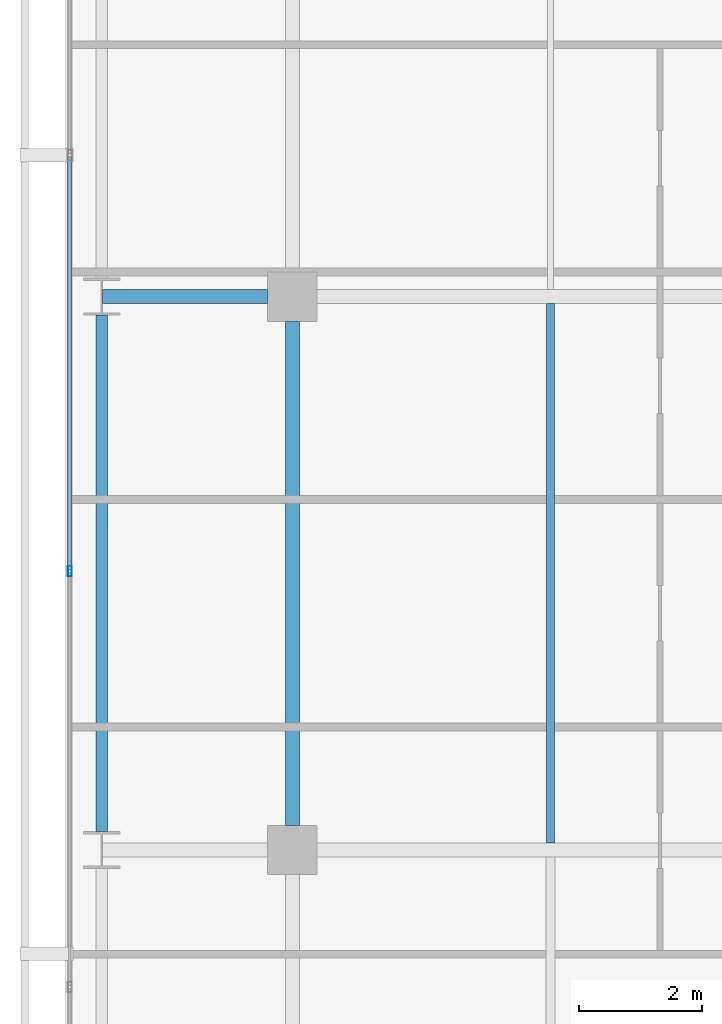
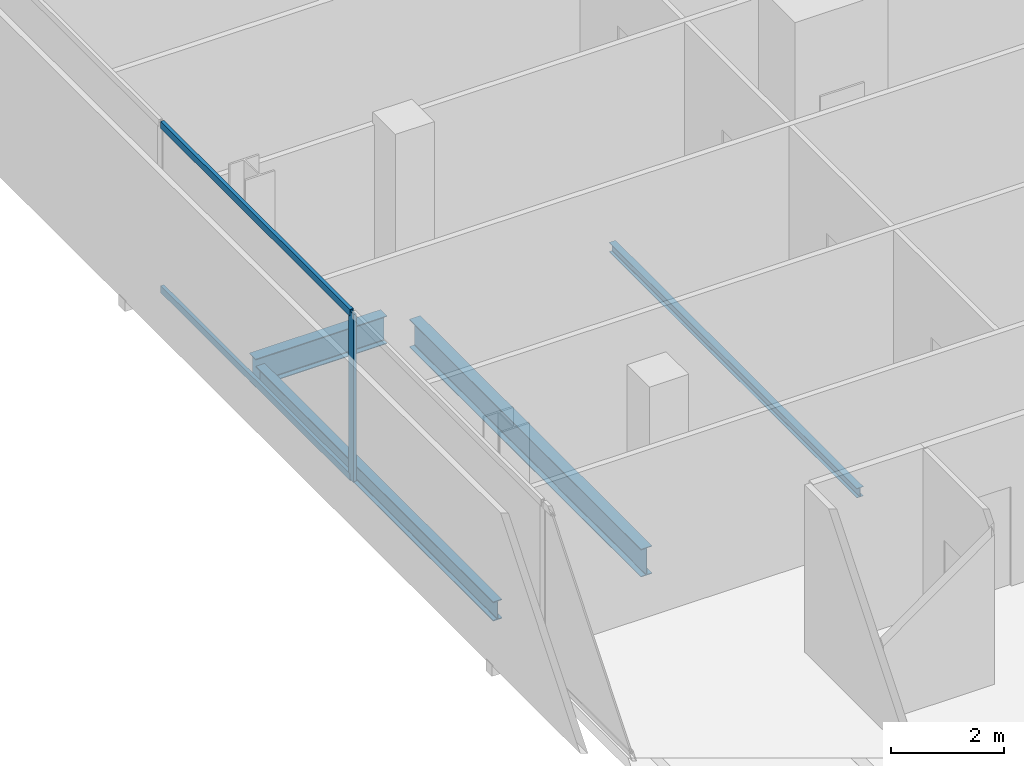
# One storey, part 8 of 34: 4 beams, 3 members, 1 element without a shape of its own.
"""IFC4 building model written with IfcOpenShell, lengths in metres."""

import ifcopenshell
import ifcopenshell.guid

model = None  # the IFC model being written
_history = None  # IfcOwnerHistory: only IFC2X3 demands one
_inside = {}  # id of a spatial element -> (the spatial element, [elements in it])
_under = {}  # id of a project, library or spatial element -> (it, [spatial elements below it])
_declared = {}  # id of a project -> (the project, [libraries it declares])
_typed = {}  # id of a type object -> (the type object, [elements of that type])
_made_of = {}  # id of a material, layer set ... -> (it, [elements and type objects made of it])


def new_model(schema):
    """Start an empty IFC model of exactly this schema.

    Asked for "IFC4X3", IfcOpenShell would pick the latest addendum, in which some entities
    have other attributes; the version numbers below select the first issue.
    IFC2X3 requires an IfcOwnerHistory on every rooted entity: one is made here for all.
    """
    global model, _history
    if schema == "IFC4X3":
        model = ifcopenshell.file(schema_version=(4, 3, 0, 0))
    else:
        model = ifcopenshell.file(schema=schema)
    _inside.clear()
    _under.clear()
    _declared.clear()
    _typed.clear()
    _made_of.clear()
    _history = None
    if model.schema == "IFC2X3":
        org = make("IfcOrganization", Name="unknown")
        user = make(
            "IfcPersonAndOrganization",
            ThePerson=make("IfcPerson", FamilyName="unknown"),
            TheOrganization=org,
        )
        app = make(
            "IfcApplication",
            ApplicationDeveloper=org,
            Version="unknown",
            ApplicationFullName="unknown",
            ApplicationIdentifier="unknown",
        )
        _history = make(
            "IfcOwnerHistory",
            OwningUser=user,
            OwningApplication=app,
            ChangeAction="ADDED",
            CreationDate=0,
        )
    return model


def make(cls, **values):
    """One entity of the class cls with the attributes given. An attribute that is None is left unset."""
    return model.create_entity(
        cls, **{name: value for name, value in values.items() if value is not None}
    )


def rooted(cls, **values):
    """An entity with a GlobalId (a new one), such as an element, a storey or a relation."""
    return make(cls, GlobalId=ifcopenshell.guid.new(), OwnerHistory=_history, **values)


def si_unit(unit_type, name, prefix=None):
    """IfcSIUnit, for example si_unit("LENGTHUNIT", "METRE", prefix="MILLI")."""
    return make("IfcSIUnit", UnitType=unit_type, Prefix=prefix, Name=name)


def assignment(units):
    """IfcUnitAssignment: the units of a project."""
    return None if units is None else make("IfcUnitAssignment", Units=units)


def point(xyz):
    """IfcCartesianPoint."""
    return None if xyz is None else make("IfcCartesianPoint", Coordinates=xyz)


def direction(xyz):
    """IfcDirection."""
    return None if xyz is None else make("IfcDirection", DirectionRatios=xyz)


def frame(location, z_axis=None, x_axis=None):
    """IfcAxis2Placement3D, a coordinate frame: its origin and axes. An axis left out is left unset."""
    return make(
        "IfcAxis2Placement3D",
        Location=point(location),
        Axis=direction(z_axis),
        RefDirection=direction(x_axis),
    )


def frame_2d(location, x_axis=None):
    """IfcAxis2Placement2D, a coordinate frame in the plane: its origin and x axis."""
    return make(
        "IfcAxis2Placement2D", Location=point(location), RefDirection=direction(x_axis)
    )


def origin():
    """The frame at (0, 0, 0) with its axes left unset."""
    return frame((0.0, 0.0, 0.0))


def origin_2d():
    """The frame at (0, 0) in the plane with its x axis left unset."""
    return frame_2d((0.0, 0.0))


def place(relative_to, where):
    """IfcLocalPlacement: puts the frame where relative to a parent placement (None: the world)."""
    return make(
        "IfcLocalPlacement", PlacementRelTo=relative_to, RelativePlacement=where
    )


def context(
    kind, dimensions, precision=None, world=None, true_north=None, identifier=None
):
    """IfcGeometricRepresentationContext, for example the 3D "Model" context."""
    return make(
        "IfcGeometricRepresentationContext",
        ContextIdentifier=identifier,
        ContextType=kind,
        CoordinateSpaceDimension=dimensions,
        Precision=precision,
        WorldCoordinateSystem=world,
        TrueNorth=true_north,
    )


def subcontext(parent, identifier, kind, view, scale=None):
    """IfcGeometricRepresentationSubContext, for example "Body" below "Model"."""
    return make(
        "IfcGeometricRepresentationSubContext",
        ContextIdentifier=identifier,
        ContextType=kind,
        ParentContext=parent,
        TargetScale=scale,
        TargetView=view,
    )


def project(units=None, contexts=None):
    """IfcProject with its units and contexts."""
    return rooted(
        "IfcProject",
        Name="project",
        RepresentationContexts=contexts,
        UnitsInContext=assignment(units),
    )


def spatial(cls, under=None, at=None, **own):
    """A site, building, storey or space (cls), placed at a placement, below another one or the project."""
    s = rooted(cls, ObjectPlacement=at, **own)
    if under is not None:
        _under.setdefault(under.id(), (under, []))[1].append(s)
    return s


def profile(cls, at=None, kind="AREA", **sizes):
    """A parametric profile (cls). Its sizes go by their IFC names, for example OverallWidth=200.0."""
    return make(cls, ProfileType=kind, Position=at, **sizes)


def hollow_rectangle(**sizes):
    """IfcRectangleHollowProfileDef."""
    return profile("IfcRectangleHollowProfileDef", **sizes)


def i_section(**sizes):
    """IfcIShapeProfileDef."""
    return profile("IfcIShapeProfileDef", **sizes)


def extrude(swept, where, along, depth):
    """IfcExtrudedAreaSolid: the profile swept, set in the frame where, extruded along a direction by depth."""
    return make(
        "IfcExtrudedAreaSolid",
        SweptArea=swept,
        Position=where,
        ExtrudedDirection=direction(along),
        Depth=depth,
    )


def shape(context_of_items, identifier, shape_type, items):
    """IfcShapeRepresentation: the items that make up one representation, for example the "Body"."""
    return make(
        "IfcShapeRepresentation",
        ContextOfItems=context_of_items,
        RepresentationIdentifier=identifier,
        RepresentationType=shape_type,
        Items=items,
    )


def material(Name=None, Category=None):
    """IfcMaterial."""
    return make("IfcMaterial", Name=Name, Category=Category)


def layer(
    of_material, thickness, ventilated=None, Name=None, Category=None, Priority=None
):
    """IfcMaterialLayer: one layer of a wall or slab, of a material (None: an air gap)."""
    return make(
        "IfcMaterialLayer",
        Material=of_material,
        LayerThickness=thickness,
        IsVentilated=ventilated,
        Name=Name,
        Category=Category,
        Priority=Priority,
    )


def layer_set(layers, Name=None):
    """IfcMaterialLayerSet."""
    return make("IfcMaterialLayerSet", MaterialLayers=layers, LayerSetName=Name)


def material_profile(
    of_material, cross_section, Name=None, Category=None, Priority=None
):
    """IfcMaterialProfile: a cross section and its material."""
    return make(
        "IfcMaterialProfile",
        Name=Name,
        Material=of_material,
        Profile=cross_section,
        Priority=Priority,
        Category=Category,
    )


def profile_set(profiles, Name=None, composite=None):
    """IfcMaterialProfileSet."""
    return make(
        "IfcMaterialProfileSet",
        Name=Name,
        MaterialProfiles=profiles,
        CompositeProfile=composite,
    )


def made_of(thing, what):
    """Note that an element or type object is made of a material, layer set ...; save() writes the relation."""
    if what is not None:
        _made_of.setdefault(what.id(), (what, []))[1].append(thing)
    return thing


def type_object(cls, material=None, **own):
    """A type object (cls), such as IfcWallType, which elements share."""
    return made_of(rooted(cls, **own), material)


def element(
    cls,
    number,
    at=None,
    inside=None,
    cuts=None,
    type_object=None,
    material=None,
    context=None,
    identifier="Body",
    shape_type=None,
    held_by="IfcProductDefinitionShape",
    body=None,
    shapes=None,
    **own,
):
    """One element of the class cls, such as IfcWall. Its Tag is "e" and its number.

    at: its placement. inside: the storey or other place that contains it. cuts: it is an
    opening in that element (IfcRelVoidsElement). A single representation is given by context,
    identifier, shape_type and body (its items); several are given by shapes. held_by: the class
    of the entity that holds the representations. save() writes the other relations.
    """
    e = rooted(cls, Tag="e%d" % number, ObjectPlacement=at, **own)
    if body is not None:
        shapes = [shape(context, identifier, shape_type, body)]
    if shapes is not None:
        e.Representation = make(held_by, Representations=shapes)
    if inside is not None:
        _inside.setdefault(inside.id(), (inside, []))[1].append(e)
    if cuts is not None:
        rooted(
            "IfcRelVoidsElement", RelatingBuildingElement=cuts, RelatedOpeningElement=e
        )
    if type_object is not None:
        _typed.setdefault(type_object.id(), (type_object, []))[1].append(e)
    return made_of(e, material)


def aggregate(whole, parts):
    """IfcRelAggregates: a whole, such as a stair, and the parts it consists of."""
    return rooted("IfcRelAggregates", RelatingObject=whole, RelatedObjects=parts)


def save(model, path):
    """Write the relations noted so far, then the file.

    IfcRelAggregates (storeys below a building ...), IfcRelContainedInSpatialStructure (elements
    in a storey), IfcRelDefinesByType, IfcRelAssociatesMaterial and IfcRelDeclares: one each for
    every whole, place, type object, material and project.
    """
    for whole, parts in _under.values():
        aggregate(whole, parts)
    for where, things in _inside.values():
        rooted(
            "IfcRelContainedInSpatialStructure",
            RelatedElements=things,
            RelatingStructure=where,
        )
    for kind, things in _typed.values():
        rooted("IfcRelDefinesByType", RelatedObjects=things, RelatingType=kind)
    for what, things in _made_of.values():
        rooted("IfcRelAssociatesMaterial", RelatedObjects=things, RelatingMaterial=what)
    for by, libraries in _declared.values():
        rooted("IfcRelDeclares", RelatingContext=by, RelatedDefinitions=libraries)
    model.write(path)


model = new_model("IFC4")

# Units and contexts
model_context = context("Model", 3, precision=1e-05, world=origin(), true_north=direction((0.0, 1.0)))
body_context = subcontext(model_context, "Body", "Model", "MODEL_VIEW")
ifc_project = project(units=[si_unit("LENGTHUNIT", "METRE"), si_unit("AREAUNIT", "SQUARE_METRE"), si_unit("VOLUMEUNIT", "CUBIC_METRE"), si_unit("PLANEANGLEUNIT", "RADIAN"), si_unit("MASSUNIT", "GRAM", prefix="KILO")], contexts=[model_context])

# Site, building, storey
site_placement = place(None, origin())
site = spatial("IfcSite", under=ifc_project, at=site_placement, CompositionType="ELEMENT")
building_placement = place(site_placement, origin())
building = spatial("IfcBuilding", under=site, at=building_placement, Name="Maruvema Waterfront Hotel and Observation Tower", CompositionType="ELEMENT")
storey_placement = place(building_placement, frame((0.0, 0.0, 189.0)))
storey = spatial("IfcBuildingStorey", under=building, at=storey_placement, Name="L46", CompositionType="ELEMENT", Elevation=189.0)

# Curtain wall, members
ifc_material_1 = material(Name="Anodised bronze aluminium and solar-control low-E IGU", Category="aluminium")
ifc_layer = layer(ifc_material_1, 0.159912109375, Name="Zone 2 Amber Inner Thermal Curtain Wall System CW-03")
ifc_layer_set = layer_set([ifc_layer], Name="Anodised bronze aluminium and solar-control low-E IGU")
curtain_wall_type = type_object("IfcCurtainWallType", Name="Zone 2 Amber Inner Thermal Curtain Wall System CW-03", PredefinedType="USERDEFINED", material=ifc_layer_set)
curtain_wall_placement = place(storey_placement, origin())
curtain_wall = element("IfcCurtainWall", 1, at=curtain_wall_placement, inside=storey, type_object=curtain_wall_type, Name="L46 Curtain Wall CW-L46-W", ObjectType="UNITISED CURTAIN WALL", PredefinedType="USERDEFINED")
ifc_material_2 = material(Name="Anodised architectural bronze aluminium", Category="aluminium")
ifc_material_profile_1 = material_profile(ifc_material_2, hollow_rectangle(XDim=0.070068359375, YDim=0.14990234375, WallThickness=0.00390625, at=origin_2d()), Name="ALU-T70x150")
ifc_profile_set_1 = profile_set([ifc_material_profile_1], Name="Anodised architectural bronze aluminium")
member_type_1 = type_object("IfcMemberType", Name="Curtain Wall Horizontal Transom ALU-T70x150", PredefinedType="USERDEFINED", material=ifc_profile_set_1)
member_1_placement = place(storey_placement, frame((13.179931640625, 29.27001953125, 0.030029296875), z_axis=(0.0, -1.0, 0.0), x_axis=(1.0, 0.0, 0.0)))
member_1 = element("IfcMember", 2, at=member_1_placement, type_object=member_type_1, Name="CW-03 transom 4.1", ObjectType="TRANSOM", PredefinedType="USERDEFINED", context=body_context, shape_type="SweptSolid", body=[
    extrude(hollow_rectangle(XDim=0.070068359375, YDim=0.14990234375, WallThickness=0.00390625, at=origin_2d()), origin(), (0.0, 0.0, 1.0), 6.706787109375),
])
member_2_placement = place(storey_placement, frame((13.179931640625, 29.27001953125, 3.580078125), z_axis=(0.0, -1.0, 0.0), x_axis=(1.0, 0.0, 0.0)))
member_2 = element("IfcMember", 3, at=member_2_placement, type_object=member_type_1, Name="CW-03 transom 4.2", ObjectType="TRANSOM", PredefinedType="USERDEFINED", context=body_context, shape_type="SweptSolid", body=[
    extrude(hollow_rectangle(XDim=0.070068359375, YDim=0.14990234375, WallThickness=0.00390625, at=origin_2d()), origin(), (0.0, 0.0, 1.0), 6.706787109375),
])
ifc_material_3 = material(Name="Anodised architectural bronze aluminium", Category="aluminium")
ifc_material_profile_2 = material_profile(ifc_material_3, hollow_rectangle(XDim=0.06494140625, YDim=0.1650390625, WallThickness=0.00390625, at=origin_2d()), Name="ALU-M65x165")
ifc_profile_set_2 = profile_set([ifc_material_profile_2], Name="Anodised architectural bronze aluminium")
member_type_2 = type_object("IfcMemberType", Name="Curtain Wall Primary Mullion ALU-M65x165", PredefinedType="MULLION", material=ifc_profile_set_2)
member_3_placement = place(storey_placement, frame((13.179931640625, 22.533447265625, 0.0), z_axis=(0.0, 0.0, 1.0), x_axis=(1.0, 0.0, 0.0)))
member_3 = element("IfcMember", 4, at=member_3_placement, type_object=member_type_2, Name="CW-03 mullion 5", PredefinedType="MULLION", context=body_context, shape_type="SweptSolid", body=[
    extrude(hollow_rectangle(XDim=0.06494140625, YDim=0.1650390625, WallThickness=0.00390625, at=origin_2d()), origin(), (0.0, 0.0, 1.0), 3.610107421875),
])
aggregate(curtain_wall, [member_3, member_1, member_2])

# Beams
ifc_material_4 = material(Name="Steel ASTM A572 Grade 50", Category="steel")
ifc_material_profile_3 = material_profile(ifc_material_4, i_section(OverallWidth=0.180908203125, OverallDepth=0.4169921875, WebThickness=0.010986328125, FlangeThickness=0.018310546875, FilletRadius=0.014892578125, at=origin_2d()), Name="W410x85.0")
ifc_profile_set_3 = profile_set([ifc_material_profile_3], Name="Steel ASTM A572 Grade 50")
beam_type_1 = type_object("IfcBeamType", Name="Perimeter Spandrel Beam W410x85.0", PredefinedType="SPANDREL", material=ifc_profile_set_3)
beam_1_placement = place(storey_placement, frame((13.699951171875, 18.300048828125, -0.448486328125), z_axis=(0.0, 1.0, 0.0), x_axis=(-1.0, 0.0, 0.0)))
element("IfcBeam", 5, at=beam_1_placement, inside=storey, type_object=beam_type_1, Name="L46 Floor Girder NS-02", PredefinedType="SPANDREL", context=body_context, shape_type="SweptSolid", body=[
    extrude(i_section(OverallWidth=0.180908203125, OverallDepth=0.4169921875, WebThickness=0.010986328125, FlangeThickness=0.018310546875, FilletRadius=0.014892578125, at=origin_2d()), origin(), (0.0, 0.0, 1.0), 8.39990234375),
])
ifc_material_5 = material(Name="Steel ASTM A572 Grade 50", Category="steel")
ifc_material_profile_4 = material_profile(ifc_material_5, i_section(OverallWidth=0.22802734375, OverallDepth=0.60302734375, WebThickness=0.010498046875, FlangeThickness=0.014892578125, FilletRadius=0.01806640625, at=origin_2d()), Name="W610x101.0")
ifc_profile_set_4 = profile_set([ifc_material_profile_4], Name="Steel ASTM A572 Grade 50")
beam_type_2 = type_object("IfcBeamType", Name="Primary Floor Girder W610x101.0", PredefinedType="BEAM", material=ifc_profile_set_4)
beam_2_placement = place(storey_placement, frame((13.71240234375, 27.0, -0.54150390625), z_axis=(1.0, 0.0, 0.0), x_axis=(0.0, 1.0, 0.0)))
element("IfcBeam", 6, at=beam_2_placement, inside=storey, type_object=beam_type_2, Name="L46 Floor Girder EW-18", PredefinedType="BEAM", context=body_context, shape_type="SweptSolid", body=[
    extrude(i_section(OverallWidth=0.22802734375, OverallDepth=0.60302734375, WebThickness=0.010498046875, FlangeThickness=0.014892578125, FilletRadius=0.01806640625, at=origin_2d()), origin(), (0.0, 0.0, 1.0), 2.6875),
])
beam_3_placement = place(storey_placement, frame((16.800048828125, 18.39990234375, -0.54150390625), z_axis=(0.0, 1.0, 0.0), x_axis=(-1.0, 0.0, 0.0)))
element("IfcBeam", 7, at=beam_3_placement, inside=storey, type_object=beam_type_2, Name="L46 Floor Girder NS-06", PredefinedType="BEAM", context=body_context, shape_type="SweptSolid", body=[
    extrude(i_section(OverallWidth=0.22802734375, OverallDepth=0.60302734375, WebThickness=0.010498046875, FlangeThickness=0.014892578125, FilletRadius=0.01806640625, at=origin_2d()), origin(), (0.0, 0.0, 1.0), 8.2001953125),
])
ifc_material_6 = material(Name="Steel ASTM A572 Grade 50", Category="steel")
ifc_material_profile_5 = material_profile(ifc_material_6, i_section(OverallWidth=0.133056640625, OverallDepth=0.20703125, WebThickness=0.005859375, FlangeThickness=0.00830078125, FilletRadius=0.010009765625, at=origin_2d()), Name="W200x26.6")
ifc_profile_set_5 = profile_set([ifc_material_profile_5], Name="Steel ASTM A572 Grade 50")
beam_type_3 = type_object("IfcBeamType", Name="Secondary Floor Joist W200x26.6", PredefinedType="JOIST", material=ifc_profile_set_5)
beam_4_placement = place(storey_placement, frame((21.0, 18.114013671875, -0.343505859375), z_axis=(0.0, 1.0, 0.0), x_axis=(-1.0, 0.0, 0.0)))
element("IfcBeam", 8, at=beam_4_placement, inside=storey, type_object=beam_type_3, Name="L46 Secondary Floor Joist JS-02", PredefinedType="JOIST", context=body_context, shape_type="SweptSolid", body=[
    extrude(i_section(OverallWidth=0.133056640625, OverallDepth=0.20703125, WebThickness=0.005859375, FlangeThickness=0.00830078125, FilletRadius=0.010009765625, at=origin_2d()), origin(), (0.0, 0.0, 1.0), 8.77197265625),
])

save(model, "model.ifc")
